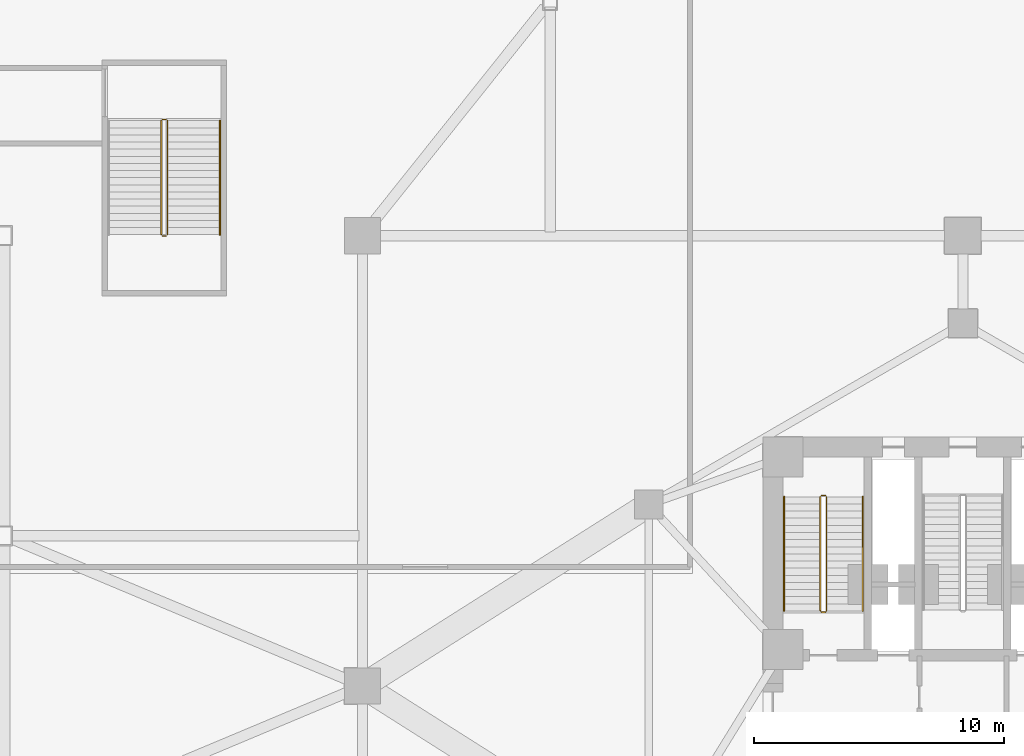
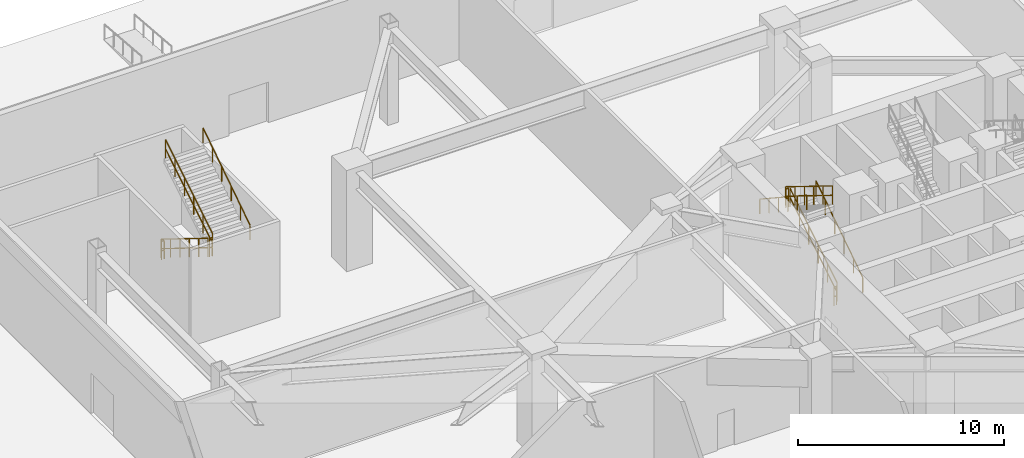
# One storey, part 17 of 24: 11 railings.
"""IFC4 building model written with IfcOpenShell, lengths in metres."""

from ifc_helpers import new_model, si_unit, direction, frame, origin, origin_2d, place, context, subcontext, project, spatial, rectangle, extrude, material, type_object, element, save


model = new_model("IFC4")

# Units and contexts
model_context = context("Model", 3, precision=1e-05, world=origin(), true_north=direction((0.0, 1.0)))
body_context = subcontext(model_context, "Body", "Model", "MODEL_VIEW")
ifc_project = project(units=[si_unit("LENGTHUNIT", "METRE"), si_unit("AREAUNIT", "SQUARE_METRE"), si_unit("VOLUMEUNIT", "CUBIC_METRE"), si_unit("PLANEANGLEUNIT", "RADIAN"), si_unit("MASSUNIT", "GRAM", prefix="KILO")], contexts=[model_context])

# Site, building, storey
site_placement = place(None, origin())
site = spatial("IfcSite", under=ifc_project, at=site_placement, CompositionType="ELEMENT")
building_placement = place(site_placement, origin())
building = spatial("IfcBuilding", under=site, at=building_placement, Name="Apsidion Concourse Tower", CompositionType="ELEMENT")
storey_placement = place(building_placement, origin())
storey = spatial("IfcBuildingStorey", under=building, at=storey_placement, Name="L00", CompositionType="ELEMENT", Elevation=0.0)

# Railings
ifc_material = material(Name="Brushed stainless steel 316", Category="steel")
railing_type_1 = type_object("IfcRailingType", Name="RL-GUARD-1100", PredefinedType="GUARDRAIL", material=ifc_material)
railing_1_placement = place(storey_placement, frame((-5.449951171875, 3.0, 0.176513671875)))
element("IfcRailing", 1, at=railing_1_placement, inside=storey, type_object=railing_type_1, Name="L00 ST1 stair guard 1", PredefinedType="GUARDRAIL", context=body_context, shape_type="SweptSolid", body=[
    extrude(rectangle(XDim=0.048095703125, YDim=0.048095703125, at=origin_2d()), frame((0.0, 0.0, 1.09619140625), z_axis=(0.0, 0.850215668316, 0.526434532824), x_axis=(-1.0, 0.0, 0.0)), (0.0, 0.0, 1.0), 5.363525390625),
    extrude(rectangle(XDim=0.048095703125, YDim=0.048095703125, at=origin_2d()), frame((0.0, 0.0, 0.5361328125), z_axis=(0.0, 0.850215668316, 0.526434532824), x_axis=(-1.0, 0.0, 0.0)), (0.0, 0.0, 1.0), 5.363525390625),
    extrude(rectangle(XDim=0.0419921875, YDim=0.0419921875, at=origin_2d()), origin(), (0.0, 0.0, 1.0), 1.072021484375),
    extrude(rectangle(XDim=0.0419921875, YDim=0.0419921875, at=origin_2d()), frame((0.0, 0.912109375, 0.564697265625)), (0.0, 0.0, 1.0), 1.072021484375),
    extrude(rectangle(XDim=0.0419921875, YDim=0.0419921875, at=origin_2d()), frame((0.0, 1.823974609375, 1.12939453125)), (0.0, 0.0, 1.0), 1.072021484375),
    extrude(rectangle(XDim=0.0419921875, YDim=0.0419921875, at=origin_2d()), frame((0.0, 2.736083984375, 1.694091796875)), (0.0, 0.0, 1.0), 1.072021484375),
    extrude(rectangle(XDim=0.0419921875, YDim=0.0419921875, at=origin_2d()), frame((0.0, 3.64794921875, 2.2587890625)), (0.0, 0.0, 1.0), 1.072021484375),
    extrude(rectangle(XDim=0.0419921875, YDim=0.0419921875, at=origin_2d()), frame((0.0, 4.56005859375, 2.823486328125)), (0.0, 0.0, 1.0), 1.072021484375),
])
railing_2_placement = place(storey_placement, frame((-5.5, 7.610107421875, 3.0)))
element("IfcRailing", 2, at=railing_2_placement, inside=storey, type_object=railing_type_1, Name="L00 ST1 stair guard 2", PredefinedType="GUARDRAIL", context=body_context, shape_type="SweptSolid", body=[
    extrude(rectangle(XDim=0.048095703125, YDim=0.048095703125, at=origin_2d()), frame((0.0, 0.0, 1.09619140625), z_axis=(-1.0, 0.0, 0.0), x_axis=(0.0, -1.0, 0.0)), (0.0, 0.0, 1.0), 0.14990234375),
    extrude(rectangle(XDim=0.048095703125, YDim=0.048095703125, at=origin_2d()), frame((0.0, 0.0, 0.5361328125), z_axis=(-1.0, 0.0, 0.0), x_axis=(0.0, -1.0, 0.0)), (0.0, 0.0, 1.0), 0.14990234375),
    extrude(rectangle(XDim=0.0419921875, YDim=0.0419921875, at=origin_2d()), origin(), (0.0, 0.0, 1.0), 1.072021484375),
    extrude(rectangle(XDim=0.0419921875, YDim=0.0419921875, at=origin_2d()), frame((-0.14990234375, 0.0, 0.0)), (0.0, 0.0, 1.0), 1.072021484375),
])
railing_3_placement = place(storey_placement, frame((-5.699951171875, 7.56005859375, 3.176513671875)))
element("IfcRailing", 3, at=railing_3_placement, inside=storey, type_object=railing_type_1, Name="L00 ST1 stair guard 3", PredefinedType="GUARDRAIL", context=body_context, shape_type="SweptSolid", body=[
    extrude(rectangle(XDim=0.048095703125, YDim=0.048095703125, at=origin_2d()), frame((0.0, 0.0, 1.09619140625), z_axis=(0.0, -0.850215668316, 0.526434532824), x_axis=(1.0, 0.0, 0.0)), (0.0, 0.0, 1.0), 5.363525390625),
    extrude(rectangle(XDim=0.048095703125, YDim=0.048095703125, at=origin_2d()), frame((0.0, 0.0, 0.5361328125), z_axis=(0.0, -0.850215668316, 0.526434532824), x_axis=(1.0, 0.0, 0.0)), (0.0, 0.0, 1.0), 5.363525390625),
    extrude(rectangle(XDim=0.0419921875, YDim=0.0419921875, at=origin_2d()), origin(), (0.0, 0.0, 1.0), 1.072021484375),
    extrude(rectangle(XDim=0.0419921875, YDim=0.0419921875, at=origin_2d()), frame((0.0, -0.912109375, 0.564697265625)), (0.0, 0.0, 1.0), 1.072021484375),
    extrude(rectangle(XDim=0.0419921875, YDim=0.0419921875, at=origin_2d()), frame((0.0, -1.823974609375, 1.12939453125)), (0.0, 0.0, 1.0), 1.072021484375),
    extrude(rectangle(XDim=0.0419921875, YDim=0.0419921875, at=origin_2d()), frame((0.0, -2.736083984375, 1.694091796875)), (0.0, 0.0, 1.0), 1.072021484375),
    extrude(rectangle(XDim=0.0419921875, YDim=0.0419921875, at=origin_2d()), frame((0.0, -3.64794921875, 2.2587890625)), (0.0, 0.0, 1.0), 1.072021484375),
    extrude(rectangle(XDim=0.0419921875, YDim=0.0419921875, at=origin_2d()), frame((0.0, -4.56005859375, 2.823486328125)), (0.0, 0.0, 1.0), 1.072021484375),
])
railing_4_placement = place(storey_placement, frame((-5.5, 2.949951171875, 0.0)))
element("IfcRailing", 4, at=railing_4_placement, inside=storey, type_object=railing_type_1, Name="L00 ST1 stair guard 4", PredefinedType="GUARDRAIL", context=body_context, shape_type="SweptSolid", body=[
    extrude(rectangle(XDim=0.048095703125, YDim=0.048095703125, at=origin_2d()), frame((0.0, 0.0, 1.09619140625), z_axis=(-1.0, 0.0, 0.0), x_axis=(0.0, -1.0, 0.0)), (0.0, 0.0, 1.0), 0.14990234375),
    extrude(rectangle(XDim=0.048095703125, YDim=0.048095703125, at=origin_2d()), frame((0.0, 0.0, 0.5361328125), z_axis=(-1.0, 0.0, 0.0), x_axis=(0.0, -1.0, 0.0)), (0.0, 0.0, 1.0), 0.14990234375),
    extrude(rectangle(XDim=0.0419921875, YDim=0.0419921875, at=origin_2d()), origin(), (0.0, 0.0, 1.0), 1.072021484375),
    extrude(rectangle(XDim=0.0419921875, YDim=0.0419921875, at=origin_2d()), frame((-0.14990234375, 0.0, 0.0)), (0.0, 0.0, 1.0), 1.072021484375),
])
railing_5_placement = place(storey_placement, frame((-32.050048828125, 22.60009765625, 0.176513671875)))
element("IfcRailing", 5, at=railing_5_placement, inside=storey, type_object=railing_type_1, Name="L00 ST-P3 stair guard 1", PredefinedType="GUARDRAIL", context=body_context, shape_type="SweptSolid", body=[
    extrude(rectangle(XDim=0.048095703125, YDim=0.048095703125, at=origin_2d()), frame((0.0, 0.0, 1.09619140625), z_axis=(0.0, -0.850215668316, 0.526434532824), x_axis=(1.0, 0.0, 0.0)), (0.0, 0.0, 1.0), 5.363525390625),
    extrude(rectangle(XDim=0.048095703125, YDim=0.048095703125, at=origin_2d()), frame((0.0, 0.0, 0.5361328125), z_axis=(0.0, -0.850215668316, 0.526434532824), x_axis=(1.0, 0.0, 0.0)), (0.0, 0.0, 1.0), 5.363525390625),
    extrude(rectangle(XDim=0.0419921875, YDim=0.0419921875, at=origin_2d()), origin(), (0.0, 0.0, 1.0), 1.072021484375),
    extrude(rectangle(XDim=0.0419921875, YDim=0.0419921875, at=origin_2d()), frame((0.0, -0.912109375, 0.564697265625)), (0.0, 0.0, 1.0), 1.072021484375),
    extrude(rectangle(XDim=0.0419921875, YDim=0.0419921875, at=origin_2d()), frame((0.0, -1.823974609375, 1.12939453125)), (0.0, 0.0, 1.0), 1.072021484375),
    extrude(rectangle(XDim=0.0419921875, YDim=0.0419921875, at=origin_2d()), frame((0.0, -2.736083984375, 1.694091796875)), (0.0, 0.0, 1.0), 1.072021484375),
    extrude(rectangle(XDim=0.0419921875, YDim=0.0419921875, at=origin_2d()), frame((0.0, -3.64794921875, 2.2587890625)), (0.0, 0.0, 1.0), 1.072021484375),
    extrude(rectangle(XDim=0.0419921875, YDim=0.0419921875, at=origin_2d()), frame((0.0, -4.56005859375, 2.823486328125)), (0.0, 0.0, 1.0), 1.072021484375),
])
railing_6_placement = place(storey_placement, frame((-32.0, 17.989990234375, 3.0)))
element("IfcRailing", 6, at=railing_6_placement, inside=storey, type_object=railing_type_1, Name="L00 ST-P3 stair guard 2", PredefinedType="GUARDRAIL", context=body_context, shape_type="SweptSolid", body=[
    extrude(rectangle(XDim=0.048095703125, YDim=0.048095703125, at=origin_2d()), frame((0.0, 0.0, 1.09619140625), z_axis=(1.0, 0.0, 0.0), x_axis=(0.0, 1.0, 0.0)), (0.0, 0.0, 1.0), 0.14990234375),
    extrude(rectangle(XDim=0.048095703125, YDim=0.048095703125, at=origin_2d()), frame((0.0, 0.0, 0.5361328125), z_axis=(1.0, 0.0, 0.0), x_axis=(0.0, 1.0, 0.0)), (0.0, 0.0, 1.0), 0.14990234375),
    extrude(rectangle(XDim=0.0419921875, YDim=0.0419921875, at=origin_2d()), origin(), (0.0, 0.0, 1.0), 1.072021484375),
    extrude(rectangle(XDim=0.0419921875, YDim=0.0419921875, at=origin_2d()), frame((0.14990234375, 0.0, 0.0)), (0.0, 0.0, 1.0), 1.072021484375),
])
railing_7_placement = place(storey_placement, frame((-31.800048828125, 18.0400390625, 3.176513671875)))
element("IfcRailing", 7, at=railing_7_placement, inside=storey, type_object=railing_type_1, Name="L00 ST-P3 stair guard 3", PredefinedType="GUARDRAIL", context=body_context, shape_type="SweptSolid", body=[
    extrude(rectangle(XDim=0.048095703125, YDim=0.048095703125, at=origin_2d()), frame((0.0, 0.0, 1.09619140625), z_axis=(0.0, 0.850215668316, 0.526434532824), x_axis=(-1.0, 0.0, 0.0)), (0.0, 0.0, 1.0), 5.363525390625),
    extrude(rectangle(XDim=0.048095703125, YDim=0.048095703125, at=origin_2d()), frame((0.0, 0.0, 0.5361328125), z_axis=(0.0, 0.850215668316, 0.526434532824), x_axis=(-1.0, 0.0, 0.0)), (0.0, 0.0, 1.0), 5.363525390625),
    extrude(rectangle(XDim=0.0419921875, YDim=0.0419921875, at=origin_2d()), origin(), (0.0, 0.0, 1.0), 1.072021484375),
    extrude(rectangle(XDim=0.0419921875, YDim=0.0419921875, at=origin_2d()), frame((0.0, 0.912109375, 0.564697265625)), (0.0, 0.0, 1.0), 1.072021484375),
    extrude(rectangle(XDim=0.0419921875, YDim=0.0419921875, at=origin_2d()), frame((0.0, 1.823974609375, 1.12939453125)), (0.0, 0.0, 1.0), 1.072021484375),
    extrude(rectangle(XDim=0.0419921875, YDim=0.0419921875, at=origin_2d()), frame((0.0, 2.736083984375, 1.694091796875)), (0.0, 0.0, 1.0), 1.072021484375),
    extrude(rectangle(XDim=0.0419921875, YDim=0.0419921875, at=origin_2d()), frame((0.0, 3.64794921875, 2.2587890625)), (0.0, 0.0, 1.0), 1.072021484375),
    extrude(rectangle(XDim=0.0419921875, YDim=0.0419921875, at=origin_2d()), frame((0.0, 4.56005859375, 2.823486328125)), (0.0, 0.0, 1.0), 1.072021484375),
])
railing_8_placement = place(storey_placement, frame((-32.0, 22.64990234375, 0.0)))
element("IfcRailing", 8, at=railing_8_placement, inside=storey, type_object=railing_type_1, Name="L00 ST-P3 stair guard 4", PredefinedType="GUARDRAIL", context=body_context, shape_type="SweptSolid", body=[
    extrude(rectangle(XDim=0.048095703125, YDim=0.048095703125, at=origin_2d()), frame((0.0, 0.0, 1.09619140625), z_axis=(1.0, 0.0, 0.0), x_axis=(0.0, 1.0, 0.0)), (0.0, 0.0, 1.0), 0.14990234375),
    extrude(rectangle(XDim=0.048095703125, YDim=0.048095703125, at=origin_2d()), frame((0.0, 0.0, 0.5361328125), z_axis=(1.0, 0.0, 0.0), x_axis=(0.0, 1.0, 0.0)), (0.0, 0.0, 1.0), 0.14990234375),
    extrude(rectangle(XDim=0.0419921875, YDim=0.0419921875, at=origin_2d()), origin(), (0.0, 0.0, 1.0), 1.072021484375),
    extrude(rectangle(XDim=0.0419921875, YDim=0.0419921875, at=origin_2d()), frame((0.14990234375, 0.0, 0.0)), (0.0, 0.0, 1.0), 1.072021484375),
])
railing_type_2 = type_object("IfcRailingType", Name="RL-HAND-900", PredefinedType="HANDRAIL", material=ifc_material)
railing_9_placement = place(storey_placement, frame((-4.0, 3.0, 0.176513671875)))
element("IfcRailing", 9, at=railing_9_placement, inside=storey, type_object=railing_type_2, Name="L00 ST1 stair handrail 1", PredefinedType="HANDRAIL", context=body_context, shape_type="SweptSolid", body=[
    extrude(rectangle(XDim=0.048095703125, YDim=0.048095703125, at=origin_2d()), frame((0.0, 0.0, 0.8759765625), z_axis=(0.0, 0.835420324919, 0.549611572578), x_axis=(-1.0, 0.0, 0.0)), (0.0, 0.0, 1.0), 5.45849609375),
    extrude(rectangle(XDim=0.0419921875, YDim=0.0419921875, at=origin_2d()), origin(), (0.0, 0.0, 1.0), 0.851806640625),
    extrude(rectangle(XDim=0.0419921875, YDim=0.0419921875, at=origin_2d()), frame((0.0, 0.912109375, 0.60009765625)), (0.0, 0.0, 1.0), 0.851806640625),
    extrude(rectangle(XDim=0.0419921875, YDim=0.0419921875, at=origin_2d()), frame((0.0, 1.823974609375, 1.199951171875)), (0.0, 0.0, 1.0), 0.851806640625),
    extrude(rectangle(XDim=0.0419921875, YDim=0.0419921875, at=origin_2d()), frame((0.0, 2.736083984375, 1.800048828125)), (0.0, 0.0, 1.0), 0.851806640625),
    extrude(rectangle(XDim=0.0419921875, YDim=0.0419921875, at=origin_2d()), frame((0.0, 3.64794921875, 2.39990234375)), (0.0, 0.0, 1.0), 0.851806640625),
    extrude(rectangle(XDim=0.0419921875, YDim=0.0419921875, at=origin_2d()), frame((0.0, 4.56005859375, 3.0)), (0.0, 0.0, 1.0), 0.851806640625),
])
railing_10_placement = place(storey_placement, frame((-7.14990234375, 7.56005859375, 3.176513671875)))
element("IfcRailing", 10, at=railing_10_placement, inside=storey, type_object=railing_type_2, Name="L00 ST1 stair handrail 2", PredefinedType="HANDRAIL", context=body_context, shape_type="SweptSolid", body=[
    extrude(rectangle(XDim=0.048095703125, YDim=0.048095703125, at=origin_2d()), frame((0.0, 0.0, 0.8759765625), z_axis=(0.0, -0.835420324919, 0.549611572578), x_axis=(1.0, 0.0, 0.0)), (0.0, 0.0, 1.0), 5.45849609375),
    extrude(rectangle(XDim=0.0419921875, YDim=0.0419921875, at=origin_2d()), origin(), (0.0, 0.0, 1.0), 0.851806640625),
    extrude(rectangle(XDim=0.0419921875, YDim=0.0419921875, at=origin_2d()), frame((0.0, -0.912109375, 0.60009765625)), (0.0, 0.0, 1.0), 0.851806640625),
    extrude(rectangle(XDim=0.0419921875, YDim=0.0419921875, at=origin_2d()), frame((0.0, -1.823974609375, 1.199951171875)), (0.0, 0.0, 1.0), 0.851806640625),
    extrude(rectangle(XDim=0.0419921875, YDim=0.0419921875, at=origin_2d()), frame((0.0, -2.736083984375, 1.800048828125)), (0.0, 0.0, 1.0), 0.851806640625),
    extrude(rectangle(XDim=0.0419921875, YDim=0.0419921875, at=origin_2d()), frame((0.0, -3.64794921875, 2.39990234375)), (0.0, 0.0, 1.0), 0.851806640625),
    extrude(rectangle(XDim=0.0419921875, YDim=0.0419921875, at=origin_2d()), frame((0.0, -4.56005859375, 3.0)), (0.0, 0.0, 1.0), 0.851806640625),
])
railing_11_placement = place(storey_placement, frame((-29.699951171875, 18.0400390625, 3.176513671875)))
element("IfcRailing", 11, at=railing_11_placement, inside=storey, type_object=railing_type_2, Name="L00 ST-P3 stair handrail 2", PredefinedType="HANDRAIL", context=body_context, shape_type="SweptSolid", body=[
    extrude(rectangle(XDim=0.048095703125, YDim=0.048095703125, at=origin_2d()), frame((0.0, 0.0, 0.8759765625), z_axis=(0.0, 0.835420324919, 0.549611572578), x_axis=(-1.0, 0.0, 0.0)), (0.0, 0.0, 1.0), 5.45849609375),
    extrude(rectangle(XDim=0.0419921875, YDim=0.0419921875, at=origin_2d()), origin(), (0.0, 0.0, 1.0), 0.851806640625),
    extrude(rectangle(XDim=0.0419921875, YDim=0.0419921875, at=origin_2d()), frame((0.0, 0.912109375, 0.60009765625)), (0.0, 0.0, 1.0), 0.851806640625),
    extrude(rectangle(XDim=0.0419921875, YDim=0.0419921875, at=origin_2d()), frame((0.0, 1.823974609375, 1.199951171875)), (0.0, 0.0, 1.0), 0.851806640625),
    extrude(rectangle(XDim=0.0419921875, YDim=0.0419921875, at=origin_2d()), frame((0.0, 2.736083984375, 1.800048828125)), (0.0, 0.0, 1.0), 0.851806640625),
    extrude(rectangle(XDim=0.0419921875, YDim=0.0419921875, at=origin_2d()), frame((0.0, 3.64794921875, 2.39990234375)), (0.0, 0.0, 1.0), 0.851806640625),
    extrude(rectangle(XDim=0.0419921875, YDim=0.0419921875, at=origin_2d()), frame((0.0, 4.56005859375, 3.0)), (0.0, 0.0, 1.0), 0.851806640625),
])

save(model, "model.ifc")
